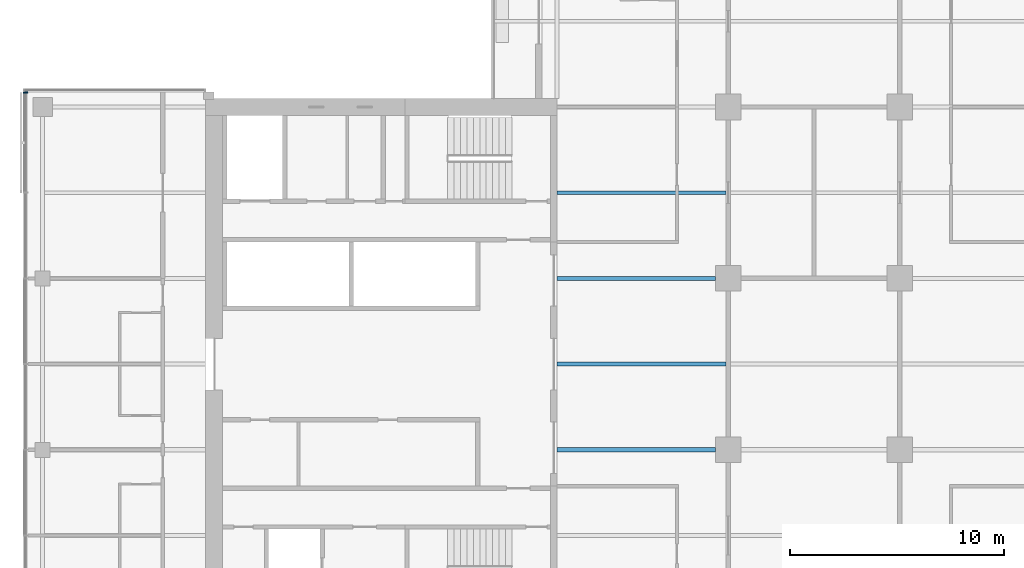
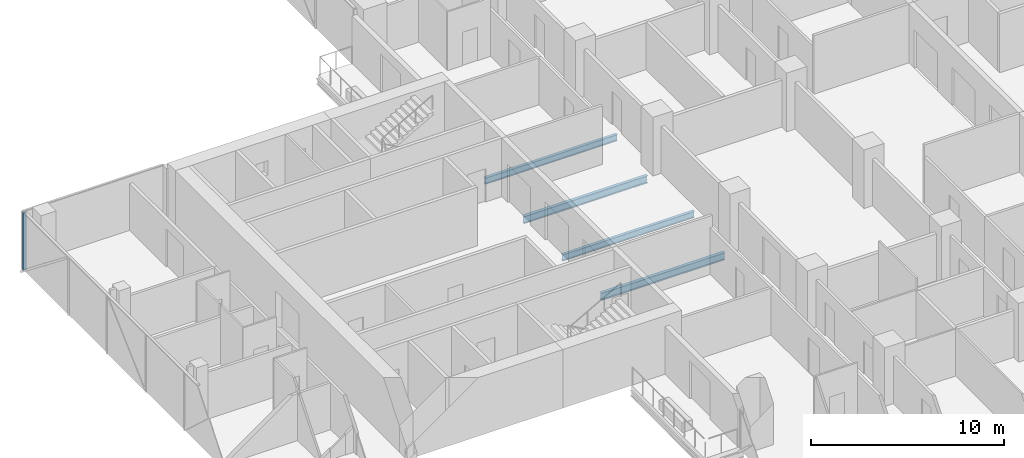
# One storey, part 7 of 27: 4 beams, 1 member, 1 element without a shape of its own.
"""IFC4 building model written with IfcOpenShell, lengths in metres."""

from ifc_helpers import new_model, si_unit, direction, frame, origin, origin_2d, place, context, subcontext, project, spatial, rectangle, i_section, extrude, material, material_profile, profile_set, type_object, element, aggregate, save


model = new_model("IFC4")

# Units and contexts
model_context = context("Model", 3, precision=1e-05, world=origin(), true_north=direction((0.0, 1.0)))
body_context = subcontext(model_context, "Body", "Model", "MODEL_VIEW")
ifc_project = project(units=[si_unit("LENGTHUNIT", "METRE"), si_unit("AREAUNIT", "SQUARE_METRE"), si_unit("VOLUMEUNIT", "CUBIC_METRE"), si_unit("PLANEANGLEUNIT", "RADIAN"), si_unit("MASSUNIT", "GRAM", prefix="KILO")], contexts=[model_context])

# Site, building, storey
site_placement = place(None, origin())
site = spatial("IfcSite", under=ifc_project, at=site_placement, CompositionType="ELEMENT")
building_placement = place(site_placement, origin())
building = spatial("IfcBuilding", under=site, at=building_placement, Name="Crosswind Convention Tower", CompositionType="ELEMENT")
storey_placement = place(building_placement, frame((0.0, 0.0, 79.39990234375)))
storey = spatial("IfcBuildingStorey", under=building, at=storey_placement, Name="L14", CompositionType="ELEMENT", Elevation=79.39990234375)

# Beams
ifc_material_1 = material(Name="Steel S355", Category="steel")
ifc_material_profile_1 = material_profile(ifc_material_1, i_section(OverallWidth=0.19189453125, OverallDepth=0.463623046875, WebThickness=0.010498046875, FlangeThickness=0.017578125, FilletRadius=0.01025390625, at=origin_2d()), Name="UB 457x191x90")
ifc_profile_set_1 = profile_set([ifc_material_profile_1], Name="Steel S355")
beam_type_1 = type_object("IfcBeamType", Name="Girder at core wall UB 457x191x90", PredefinedType="BEAM", material=ifc_profile_set_1)
for number, where, z_axis, x_axis, name in (
    (1, (113.0, 96.0, -0.51171875), (1.0, 0.0, 0.0), (0.0, 1.0, 0.0), "B24 L14 girder at core wall 4"),
    (2, (113.0, 104.0, -0.51171875), (1.0, 0.0, 0.0), (0.0, 1.0, 0.0), "B24 L14 girder at core wall 5"),
):
    element("IfcBeam", number, at=place(storey_placement, frame(where, z_axis=z_axis, x_axis=x_axis)), inside=storey, type_object=beam_type_1, Name=name, PredefinedType="BEAM", context=body_context, shape_type="SweptSolid", body=[
        extrude(i_section(OverallWidth=0.19189453125, OverallDepth=0.463623046875, WebThickness=0.010498046875, FlangeThickness=0.017578125, FilletRadius=0.01025390625, at=origin_2d()), origin(), (0.0, 0.0, 1.0), 7.39990234375),
    ])

# Curtain wall, member
ifc_material_2 = material(Name="Aluminium unitised curtain wall", Category="aluminium")
curtain_wall_type = type_object("IfcCurtainWallType", Name="HOTEL UNITISED WALL 200", PredefinedType="USERDEFINED", material=ifc_material_2)
curtain_wall_placement = place(storey_placement, origin())
curtain_wall = element("IfcCurtainWall", 3, at=curtain_wall_placement, inside=storey, type_object=curtain_wall_type, Name="CW2 L14 W-TIP 1", ObjectType="UNITISED", PredefinedType="USERDEFINED")
ifc_material_3 = material(Name="Aluminium mullion", Category="aluminium")
ifc_material_profile_2 = material_profile(ifc_material_3, rectangle(XDim=0.199951171875, YDim=0.06494140625, at=origin_2d()), Name="AL 200X65")
ifc_profile_set_2 = profile_set([ifc_material_profile_2], Name="Aluminium mullion")
member_type = type_object("IfcMemberType", Name="MULLION 65X200", PredefinedType="MULLION", material=ifc_profile_set_2)
member_placement = place(storey_placement, frame((88.199951171875, 112.66748046875, -0.27978515625), z_axis=(0.0, 0.0, 1.0), x_axis=(-1.0, 0.0, 0.0)))
member = element("IfcMember", 4, at=member_placement, type_object=member_type, Name="CW2 mullion 1", PredefinedType="MULLION", context=body_context, shape_type="SweptSolid", body=[
    extrude(rectangle(XDim=0.199951171875, YDim=0.06494140625, at=origin_2d()), origin(), (0.0, 0.0, 1.0), 3.634765625),
])
aggregate(curtain_wall, [member])

# Beams
ifc_material_profile_3 = material_profile(ifc_material_1, i_section(OverallWidth=0.177734375, OverallDepth=0.406494140625, WebThickness=0.0078125, FlangeThickness=0.0126953125, FilletRadius=0.01025390625, at=origin_2d()), Name="UB 406x178x60")
ifc_profile_set_3 = profile_set([ifc_material_profile_3], Name="Steel S355")
beam_type_2 = type_object("IfcBeamType", Name="Secondary beam UB 406x178x60", PredefinedType="JOIST", material=ifc_profile_set_3)
for number, where, z_axis, x_axis, name in (
    (5, (113.0, 100.0, -0.483154296875), (1.0, 0.0, 0.0), (0.0, 1.0, 0.0), "B10 L14 secondary beam 5"),
    (6, (113.0, 108.0, -0.483154296875), (1.0, 0.0, 0.0), (0.0, 1.0, 0.0), "B10 L14 secondary beam 6"),
):
    element("IfcBeam", number, at=place(storey_placement, frame(where, z_axis=z_axis, x_axis=x_axis)), inside=storey, type_object=beam_type_2, Name=name, PredefinedType="JOIST", context=body_context, shape_type="SweptSolid", body=[
        extrude(i_section(OverallWidth=0.177734375, OverallDepth=0.406494140625, WebThickness=0.0078125, FlangeThickness=0.0126953125, FilletRadius=0.01025390625, at=origin_2d()), origin(), (0.0, 0.0, 1.0), 7.904296875),
    ])

save(model, "model.ifc")
